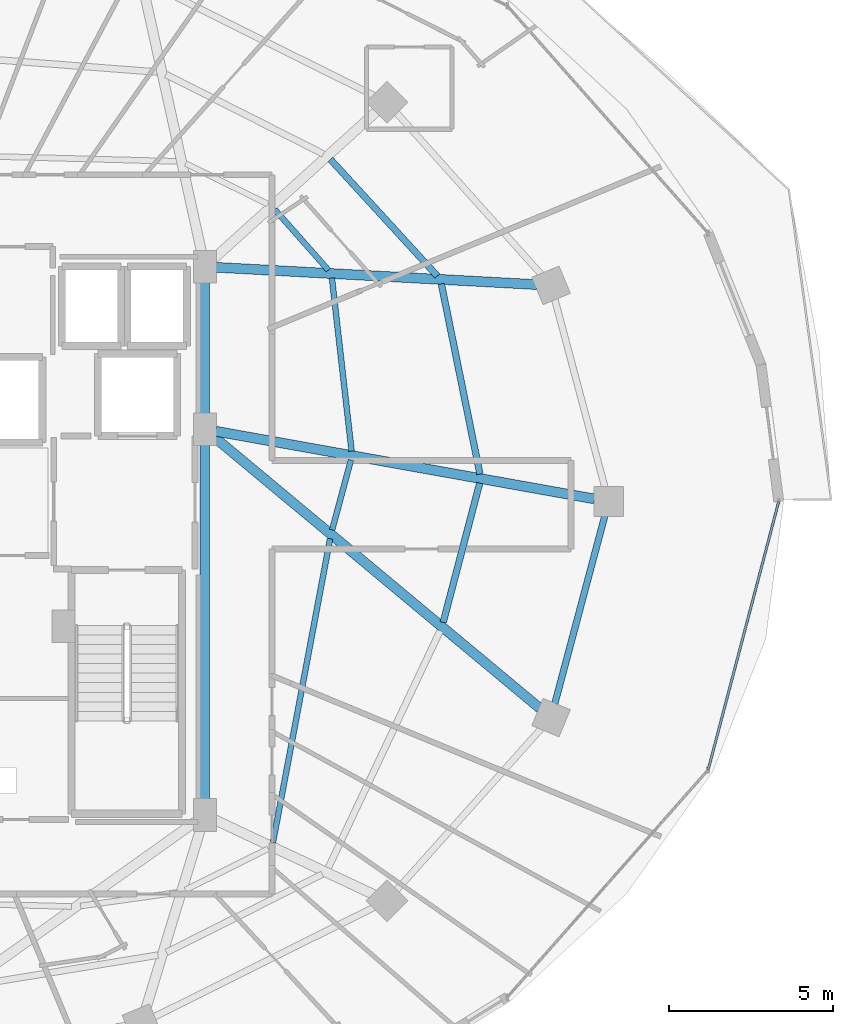
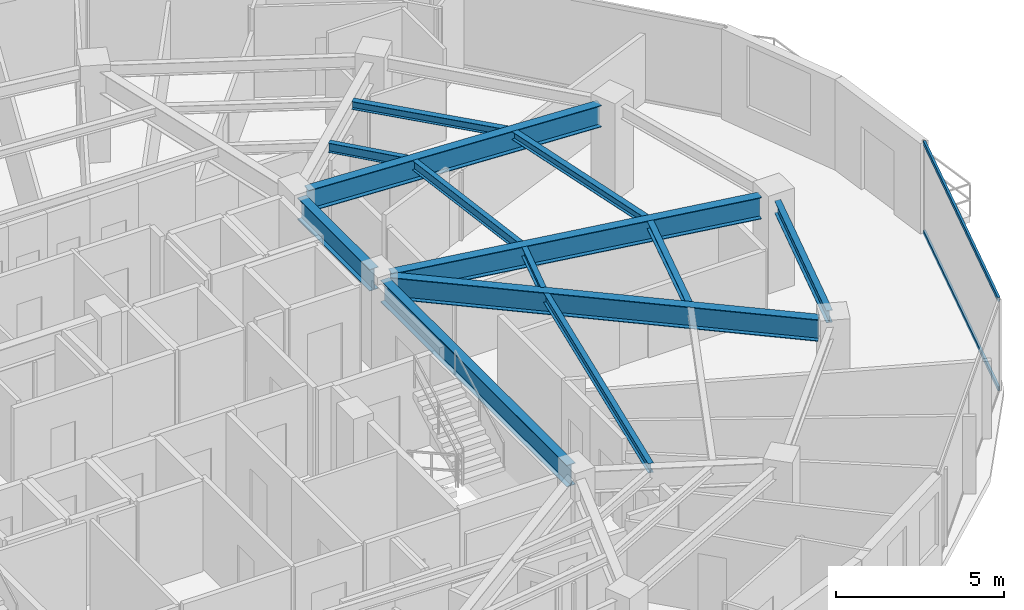
# One storey, part 14 of 33: 13 beams, 2 members, 1 element without a shape of its own.
"""IFC4 building model written with IfcOpenShell, lengths in metres."""

from ifc_helpers import new_model, si_unit, direction, frame, origin, origin_2d, place, context, subcontext, project, spatial, hollow_rectangle, i_section, extrude, material, material_profile, profile_set, type_object, element, aggregate, save


model = new_model("IFC4")

# Units and contexts
model_context = context("Model", 3, precision=1e-05, world=origin(), true_north=direction((0.0, 1.0)))
body_context = subcontext(model_context, "Body", "Model", "MODEL_VIEW")
ifc_project = project(units=[si_unit("LENGTHUNIT", "METRE"), si_unit("AREAUNIT", "SQUARE_METRE"), si_unit("VOLUMEUNIT", "CUBIC_METRE"), si_unit("PLANEANGLEUNIT", "RADIAN"), si_unit("MASSUNIT", "GRAM", prefix="KILO")], contexts=[model_context])

# Site, building, storey
site_placement = place(None, origin())
site = spatial("IfcSite", under=ifc_project, at=site_placement, CompositionType="ELEMENT")
building_placement = place(site_placement, origin())
building = spatial("IfcBuilding", under=site, at=building_placement, Name="Vorneva Point Tower", CompositionType="ELEMENT")
storey_placement = place(building_placement, frame((0.0, 0.0, 217.85009765625)))
storey = spatial("IfcBuildingStorey", under=building, at=storey_placement, Name="L59", CompositionType="ELEMENT", Elevation=217.85009765625)

# Beams
ifc_material_1 = material(Name="Steel S355", Category="steel")
ifc_material_profile_1 = material_profile(ifc_material_1, i_section(OverallWidth=0.300048828125, OverallDepth=0.7880859375, WebThickness=0.014404296875, FlangeThickness=0.02197265625, at=origin_2d()), Name="80Sh1")
ifc_profile_set_1 = profile_set([ifc_material_profile_1], Name="Steel S355")
beam_type_1 = type_object("IfcBeamType", Name="BM-GRD-80Sh1", PredefinedType="USERDEFINED", material=ifc_profile_set_1)
beam_1_placement = place(storey_placement, frame((60.618896484375, 26.0771484375, 2.89599609375), z_axis=(-0.984378602255, 0.176064668298, 0.0), x_axis=(-0.176064668298, -0.984378602255, 0.0)))
element("IfcBeam", 1, at=beam_1_placement, inside=storey, type_object=beam_type_1, Name="L59 Radial Primary Girder 01", ObjectType="GIRDER", PredefinedType="USERDEFINED", context=body_context, shape_type="SweptSolid", body=[
    extrude(i_section(OverallWidth=0.300048828125, OverallDepth=0.7880859375, WebThickness=0.014404296875, FlangeThickness=0.02197265625, at=origin_2d()), origin(), (0.0, 0.0, 1.0), 11.71728515625),
])
beam_2_placement = place(storey_placement, frame((58.85791015625, 32.605712890625, 2.89599609375), z_axis=(-0.998554028182, 0.053757351146, 0.0), x_axis=(-0.053757351146, -0.998554028182, 0.0)))
element("IfcBeam", 2, at=beam_2_placement, inside=storey, type_object=beam_type_1, Name="L59 Radial Primary Girder 02", ObjectType="GIRDER", PredefinedType="USERDEFINED", context=body_context, shape_type="SweptSolid", body=[
    extrude(i_section(OverallWidth=0.300048828125, OverallDepth=0.7880859375, WebThickness=0.014404296875, FlangeThickness=0.02197265625, at=origin_2d()), origin(), (0.0, 0.0, 1.0), 9.782470703125),
])
beam_3_placement = place(storey_placement, frame((58.958740234375, 19.697998046875, 2.89599609375), z_axis=(-0.768417564517, 0.639948784311, 0.0), x_axis=(-0.639948784311, -0.768417564517, 0.0)))
element("IfcBeam", 3, at=beam_3_placement, inside=storey, type_object=beam_type_1, Name="L59 Radial Primary Girder 16", ObjectType="GIRDER", PredefinedType="USERDEFINED", context=body_context, shape_type="SweptSolid", body=[
    extrude(i_section(OverallWidth=0.300048828125, OverallDepth=0.7880859375, WebThickness=0.014404296875, FlangeThickness=0.02197265625, at=origin_2d()), origin(), (0.0, 0.0, 1.0), 12.945556640625),
])
beam_4_placement = place(storey_placement, frame((48.75, 16.77001953125, 2.89599609375), z_axis=(0.0, 1.0, 0.0), x_axis=(-1.0, 0.0, 0.0)))
element("IfcBeam", 4, at=beam_4_placement, inside=storey, type_object=beam_type_1, Name="L59 Core Tie Girder CT3", ObjectType="GIRDER", PredefinedType="USERDEFINED", context=body_context, shape_type="SweptSolid", body=[
    extrude(i_section(OverallWidth=0.300048828125, OverallDepth=0.7880859375, WebThickness=0.014404296875, FlangeThickness=0.02197265625, at=origin_2d()), origin(), (0.0, 0.0, 1.0), 11.10986328125),
])
beam_5_placement = place(storey_placement, frame((48.75, 28.52001953125, 2.89599609375), z_axis=(0.0, 1.0, 0.0), x_axis=(-1.0, 0.0, 0.0)))
element("IfcBeam", 5, at=beam_5_placement, inside=storey, type_object=beam_type_1, Name="L59 Core Tie Girder CT4", ObjectType="GIRDER", PredefinedType="USERDEFINED", context=body_context, shape_type="SweptSolid", body=[
    extrude(i_section(OverallWidth=0.300048828125, OverallDepth=0.7880859375, WebThickness=0.014404296875, FlangeThickness=0.02197265625, at=origin_2d()), origin(), (0.0, 0.0, 1.0), 4.31005859375),
])
ifc_material_profile_2 = material_profile(ifc_material_1, i_section(OverallWidth=0.199951171875, OverallDepth=0.291015625, WebThickness=0.008056640625, FlangeThickness=0.010986328125, at=origin_2d()), Name="30Sh1")
ifc_profile_set_2 = profile_set([ifc_material_profile_2], Name="Steel S355")
beam_type_2 = type_object("IfcBeamType", Name="BM-SEC-30Sh1", PredefinedType="BEAM", material=ifc_profile_set_2)
beam_6_placement = place(storey_placement, frame((57.131103515625, 26.831298828125, 3.144287109375), z_axis=(-0.198853680305, 0.980029190294, 0.0), x_axis=(-0.980029190294, -0.198853680305, 0.0)))
element("IfcBeam", 6, at=beam_6_placement, inside=storey, type_object=beam_type_2, Name="L59 Secondary Floor Beam 1.01", PredefinedType="BEAM", context=body_context, shape_type="SweptSolid", body=[
    extrude(i_section(OverallWidth=0.199951171875, OverallDepth=0.291015625, WebThickness=0.008056640625, FlangeThickness=0.010986328125, at=origin_2d()), origin(), (0.0, 0.0, 1.0), 5.915283203125),
])
beam_7_placement = place(storey_placement, frame((55.834228515625, 32.865234375, 3.144287109375), z_axis=(-0.675759017991, 0.73712261504, 0.0), x_axis=(-0.73712261504, -0.675759017991, 0.0)))
element("IfcBeam", 7, at=beam_7_placement, inside=storey, type_object=beam_type_2, Name="L59 Secondary Floor Beam 1.02", PredefinedType="BEAM", context=body_context, shape_type="SweptSolid", body=[
    extrude(i_section(OverallWidth=0.199951171875, OverallDepth=0.291015625, WebThickness=0.008056640625, FlangeThickness=0.010986328125, at=origin_2d()), origin(), (0.0, 0.0, 1.0), 4.822021484375),
])
beam_8_placement = place(storey_placement, frame((56.009521484375, 22.31689453125, 3.144287109375), z_axis=(0.253800559938, 0.967256571844, 0.0), x_axis=(-0.967256571844, 0.253800559938, 0.0)))
element("IfcBeam", 8, at=beam_8_placement, inside=storey, type_object=beam_type_2, Name="L59 Secondary Floor Beam 1.16", PredefinedType="BEAM", context=body_context, shape_type="SweptSolid", body=[
    extrude(i_section(OverallWidth=0.199951171875, OverallDepth=0.291015625, WebThickness=0.008056640625, FlangeThickness=0.010986328125, at=origin_2d()), origin(), (0.0, 0.0, 1.0), 4.389404296875),
])
ifc_material_profile_3 = material_profile(ifc_material_1, i_section(OverallWidth=0.174072265625, OverallDepth=0.345947265625, WebThickness=0.006103515625, FlangeThickness=0.009033203125, at=origin_2d()), Name="35B1")
ifc_profile_set_3 = profile_set([ifc_material_profile_3], Name="Steel S355")
beam_type_3 = type_object("IfcBeamType", Name="BM-SEC-35B1", PredefinedType="BEAM", material=ifc_profile_set_3)
beam_9_placement = place(storey_placement, frame((53.221435546875, 27.534423828125, 3.116943359375), z_axis=(-0.113032571733, 0.993591283037, 0.0), x_axis=(-0.993591283037, -0.113032571733, 0.0)))
element("IfcBeam", 9, at=beam_9_placement, inside=storey, type_object=beam_type_3, Name="L59 Secondary Floor Beam 2.01", PredefinedType="BEAM", context=body_context, shape_type="SweptSolid", body=[
    extrude(i_section(OverallWidth=0.174072265625, OverallDepth=0.345947265625, WebThickness=0.006103515625, FlangeThickness=0.009033203125, at=origin_2d()), origin(), (0.0, 0.0, 1.0), 5.3046875),
])
beam_10_placement = place(storey_placement, frame((52.514892578125, 33.045654296875, 3.116943359375), z_axis=(-0.662362143704, 0.749183816288, 0.0), x_axis=(-0.749183816288, -0.662362143704, 0.0)))
element("IfcBeam", 10, at=beam_10_placement, inside=storey, type_object=beam_type_3, Name="L59 Secondary Floor Beam 2.02", PredefinedType="BEAM", context=body_context, shape_type="SweptSolid", body=[
    extrude(i_section(OverallWidth=0.174072265625, OverallDepth=0.345947265625, WebThickness=0.006103515625, FlangeThickness=0.009033203125, at=origin_2d()), origin(), (0.0, 0.0, 1.0), 2.46337890625),
])
beam_11_placement = place(storey_placement, frame((50.827392578125, 15.61962890625, 3.116943359375), z_axis=(0.184913715459, 0.982754759762, 0.0), x_axis=(-0.982754759762, 0.184913715459, 0.0)))
element("IfcBeam", 11, at=beam_11_placement, inside=storey, type_object=beam_type_3, Name="L59 Secondary Floor Beam 2.15", PredefinedType="BEAM", context=body_context, shape_type="SweptSolid", body=[
    extrude(i_section(OverallWidth=0.174072265625, OverallDepth=0.345947265625, WebThickness=0.006103515625, FlangeThickness=0.009033203125, at=origin_2d()), origin(), (0.0, 0.0, 1.0), 9.406982421875),
])
beam_12_placement = place(storey_placement, frame((52.628173828125, 25.13330078125, 3.116943359375), z_axis=(0.259679836989, 0.965694766612, 0.0), x_axis=(-0.965694766612, 0.259679836989, 0.0)))
element("IfcBeam", 12, at=beam_12_placement, inside=storey, type_object=beam_type_3, Name="L59 Secondary Floor Beam 2.16", PredefinedType="BEAM", context=body_context, shape_type="SweptSolid", body=[
    extrude(i_section(OverallWidth=0.174072265625, OverallDepth=0.345947265625, WebThickness=0.006103515625, FlangeThickness=0.009033203125, at=origin_2d()), origin(), (0.0, 0.0, 1.0), 2.20654296875),
])
ifc_material_profile_4 = material_profile(ifc_material_1, i_section(OverallWidth=0.198974609375, OverallDepth=0.446044921875, WebThickness=0.008056640625, FlangeThickness=0.011962890625, at=origin_2d()), Name="45B1")
ifc_profile_set_4 = profile_set([ifc_material_profile_4], Name="Steel S355")
beam_type_4 = type_object("IfcBeamType", Name="BM-SPN-45B1", PredefinedType="SPANDREL", material=ifc_profile_set_4)
beam_13_placement = place(storey_placement, frame((59.407470703125, 19.838134765625, 3.06689453125), z_axis=(0.257578258003, 0.966257440336, 0.0), x_axis=(-0.966257440336, 0.257578258003, 0.0)))
element("IfcBeam", 13, at=beam_13_placement, inside=storey, type_object=beam_type_4, Name="L59 Perimeter Spandrel Ring Beam 16", PredefinedType="SPANDREL", context=body_context, shape_type="SweptSolid", body=[
    extrude(i_section(OverallWidth=0.198974609375, OverallDepth=0.446044921875, WebThickness=0.008056640625, FlangeThickness=0.011962890625, at=origin_2d()), origin(), (0.0, 0.0, 1.0), 5.94189453125),
])

# Curtain wall, members
ifc_material_2 = material(Name="Pale anodised aluminium", Category="aluminium")
curtain_wall_type = type_object("IfcCurtainWallType", Name="CW-RES-SYS", PredefinedType="NOTDEFINED", material=ifc_material_2)
curtain_wall_placement = place(storey_placement, origin())
curtain_wall = element("IfcCurtainWall", 14, at=curtain_wall_placement, inside=storey, type_object=curtain_wall_type, Name="L59 Unitised Curtain Wall CW-L59-R04", PredefinedType="NOTDEFINED")
ifc_material_profile_5 = material_profile(ifc_material_2, hollow_rectangle(XDim=0.074951171875, YDim=0.14990234375, WallThickness=0.00390625, at=origin_2d()), Name="AL-TRN 150x75x4")
ifc_profile_set_5 = profile_set([ifc_material_profile_5], Name="Pale anodised aluminium")
member_type = type_object("IfcMemberType", Name="CW-TRN-150", PredefinedType="USERDEFINED", material=ifc_profile_set_5)
member_1_placement = place(storey_placement, frame((64.0810546875, 17.82958984375, 0.02001953125), z_axis=(0.254362431281, 0.967108966742, 0.0), x_axis=(-0.967108966742, 0.254362431281, 0.0)))
member_1 = element("IfcMember", 15, at=member_1_placement, type_object=member_type, Name="CW-L59-R04 Transom 02.1", ObjectType="TRANSOM", PredefinedType="USERDEFINED", context=body_context, shape_type="SweptSolid", body=[
    extrude(hollow_rectangle(XDim=0.074951171875, YDim=0.14990234375, WallThickness=0.00390625, at=origin_2d()), origin(), (0.0, 0.0, 1.0), 8.4482421875),
])
member_2_placement = place(storey_placement, frame((64.0810546875, 17.82958984375, 3.27001953125), z_axis=(0.254362431281, 0.967108966742, 0.0), x_axis=(-0.967108966742, 0.254362431281, 0.0)))
member_2 = element("IfcMember", 16, at=member_2_placement, type_object=member_type, Name="CW-L59-R04 Transom 02.2", ObjectType="TRANSOM", PredefinedType="USERDEFINED", context=body_context, shape_type="SweptSolid", body=[
    extrude(hollow_rectangle(XDim=0.074951171875, YDim=0.14990234375, WallThickness=0.00390625, at=origin_2d()), origin(), (0.0, 0.0, 1.0), 8.4482421875),
])
aggregate(curtain_wall, [member_1, member_2])

save(model, "model.ifc")
